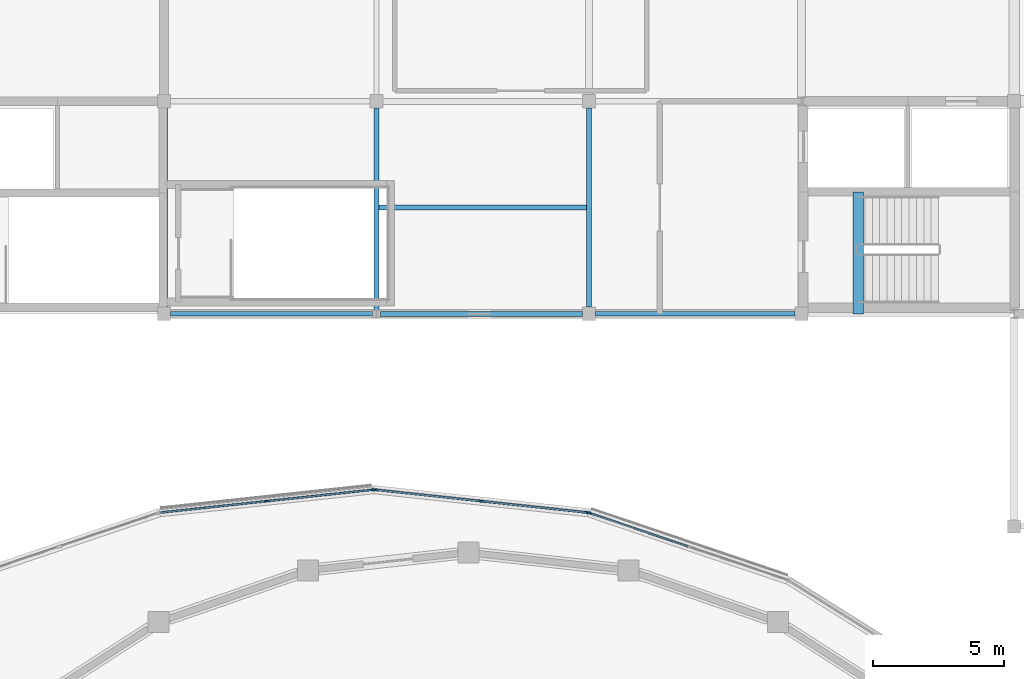
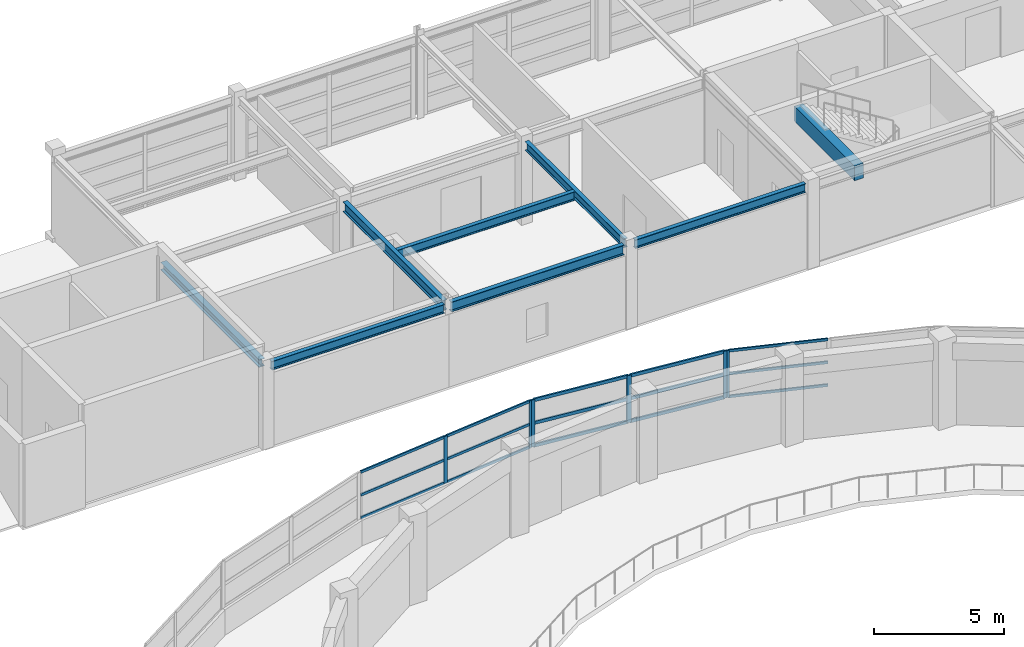
# One storey, part 25 of 54: 21 members, 8 beams, 3 elements without a shape of their own.
"""IFC4 building model written with IfcOpenShell, lengths in metres."""

from ifc_helpers import new_model, si_unit, direction, frame, origin, origin_2d, place, context, subcontext, project, spatial, rectangle, i_section, extrude, material, material_profile, profile_set, type_object, element, aggregate, save


model = new_model("IFC4")

# Units and contexts
model_context = context("Model", 3, precision=1e-05, world=origin(), true_north=direction((0.0, 1.0)))
body_context = subcontext(model_context, "Body", "Model", "MODEL_VIEW")
ifc_project = project(units=[si_unit("LENGTHUNIT", "METRE"), si_unit("AREAUNIT", "SQUARE_METRE"), si_unit("VOLUMEUNIT", "CUBIC_METRE"), si_unit("PLANEANGLEUNIT", "RADIAN"), si_unit("MASSUNIT", "GRAM", prefix="KILO")], contexts=[model_context])

# Site, building, storey
site_placement = place(None, origin())
site = spatial("IfcSite", under=ifc_project, at=site_placement, CompositionType="ELEMENT")
building_placement = place(site_placement, origin())
building = spatial("IfcBuilding", under=site, at=building_placement, Name="Parian Resonance Hall", CompositionType="ELEMENT")
storey_placement = place(building_placement, frame((0.0, 0.0, 15.0)))
storey = spatial("IfcBuildingStorey", under=building, at=storey_placement, Name="L03", CompositionType="ELEMENT", Elevation=15.0)

# Beams
ifc_material_1 = material(Name="Steel S355", Category="steel")
ifc_material_profile_1 = material_profile(ifc_material_1, i_section(OverallWidth=0.178955078125, OverallDepth=0.409912109375, WebThickness=0.0087890625, FlangeThickness=0.014404296875, FilletRadius=0.01513671875, at=origin_2d()), Name="W410x67")
ifc_profile_set_1 = profile_set([ifc_material_profile_1], Name="Steel S355")
beam_type_1 = type_object("IfcBeamType", Name="AL1 W410x67", PredefinedType="BEAM", material=ifc_profile_set_1)
beam_1_placement = place(storey_placement, frame((40.596923828125, 76.949951171875, 3.705078125), z_axis=(1.0, 0.0, 0.0), x_axis=(0.0, 1.0, 0.0)))
element("IfcBeam", 1, at=beam_1_placement, inside=storey, type_object=beam_type_1, Name="JS-L03-0917", PredefinedType="BEAM", context=body_context, shape_type="SweptSolid", body=[
    extrude(i_section(OverallWidth=0.178955078125, OverallDepth=0.409912109375, WebThickness=0.0087890625, FlangeThickness=0.014404296875, FilletRadius=0.01513671875, at=origin_2d()), origin(), (0.0, 0.0, 1.0), 7.91259765625),
])
ifc_material_2 = material(Name="Concrete C40/50", Category="concrete")
ifc_material_profile_2 = material_profile(ifc_material_2, rectangle(XDim=0.39990234375, YDim=0.699951171875, at=origin_2d()), Name="RC-BM-400x700")
ifc_profile_set_2 = profile_set([ifc_material_profile_2], Name="Concrete C40/50")
beam_type_2 = type_object("IfcBeamType", Name="BM-RC400x700", PredefinedType="BEAM", material=ifc_profile_set_2)
beam_2_placement = place(storey_placement, frame((58.860107421875, 72.89990234375, 3.610107421875), z_axis=(0.0, 1.0, 0.0), x_axis=(-1.0, 0.0, 0.0)))
element("IfcBeam", 2, at=beam_2_placement, inside=storey, type_object=beam_type_2, Name="Core K1 stair arrival trimmer beam L03", PredefinedType="BEAM", context=body_context, shape_type="SweptSolid", body=[
    extrude(rectangle(XDim=0.39990234375, YDim=0.699951171875, at=origin_2d()), origin(), (0.0, 0.0, 1.0), 4.650146484375),
])
ifc_material_3 = material(Name="Steel S355", Category="steel")
ifc_material_profile_3 = material_profile(ifc_material_3, i_section(OverallWidth=0.2548828125, OverallDepth=0.35693359375, WebThickness=0.010498046875, FlangeThickness=0.018310546875, FilletRadius=0.01513671875, at=origin_2d()), Name="W360x101")
ifc_profile_set_3 = profile_set([ifc_material_profile_3], Name="Steel S355")
beam_type_3 = type_object("IfcBeamType", Name="BM-W360x101", PredefinedType="SPANDREL", material=ifc_profile_set_3)
beam_3_placement = place(storey_placement, frame((32.39990234375, 73.14990234375, 3.7314453125), z_axis=(0.0, 1.0, 0.0), x_axis=(-1.0, 0.0, 0.0)))
element("IfcBeam", 3, at=beam_3_placement, inside=storey, type_object=beam_type_3, Name="GY-L03-0864", PredefinedType="SPANDREL", context=body_context, shape_type="SweptSolid", body=[
    extrude(i_section(OverallWidth=0.2548828125, OverallDepth=0.35693359375, WebThickness=0.010498046875, FlangeThickness=0.018310546875, FilletRadius=0.01513671875, at=origin_2d()), origin(), (0.0, 0.0, 1.0), 7.60009765625),
])
ifc_material_4 = material(Name="Steel S355", Category="steel")
ifc_material_profile_4 = material_profile(ifc_material_4, i_section(OverallWidth=0.180908203125, OverallDepth=0.4169921875, WebThickness=0.010986328125, FlangeThickness=0.018310546875, FilletRadius=0.01513671875, at=origin_2d()), Name="W410x85")
ifc_profile_set_4 = profile_set([ifc_material_profile_4], Name="Steel S355")
beam_type_4 = type_object("IfcBeamType", Name="BM-W410x85", PredefinedType="SPANDREL", material=ifc_profile_set_4)
beam_4_placement = place(storey_placement, frame((32.64990234375, 72.89990234375, 3.701416015625), z_axis=(1.0, 0.0, 0.0), x_axis=(0.0, 1.0, 0.0)))
element("IfcBeam", 4, at=beam_4_placement, inside=storey, type_object=beam_type_4, Name="GX-L03-0813", PredefinedType="SPANDREL", context=body_context, shape_type="SweptSolid", body=[
    extrude(i_section(OverallWidth=0.180908203125, OverallDepth=0.4169921875, WebThickness=0.010986328125, FlangeThickness=0.018310546875, FilletRadius=0.01513671875, at=origin_2d()), origin(), (0.0, 0.0, 1.0), 7.697509765625),
])
beam_5_placement = place(storey_placement, frame((48.85009765625, 72.89990234375, 3.75146484375), z_axis=(1.0, 0.0, 0.0), x_axis=(0.0, 1.0, 0.0)))
element("IfcBeam", 5, at=beam_5_placement, inside=storey, type_object=beam_type_4, Name="GX-L03-0819", PredefinedType="SPANDREL", context=body_context, shape_type="SweptSolid", body=[
    extrude(i_section(OverallWidth=0.180908203125, OverallDepth=0.4169921875, WebThickness=0.010986328125, FlangeThickness=0.018310546875, FilletRadius=0.01513671875, at=origin_2d()), origin(), (0.0, 0.0, 1.0), 7.599853515625),
])
beam_6_placement = place(storey_placement, frame((48.60009765625, 73.14990234375, 3.701416015625), z_axis=(0.0, 1.0, 0.0), x_axis=(-1.0, 0.0, 0.0)))
element("IfcBeam", 6, at=beam_6_placement, inside=storey, type_object=beam_type_4, Name="GY-L03-0868", PredefinedType="SPANDREL", context=body_context, shape_type="SweptSolid", body=[
    extrude(i_section(OverallWidth=0.180908203125, OverallDepth=0.4169921875, WebThickness=0.010986328125, FlangeThickness=0.018310546875, FilletRadius=0.01513671875, at=origin_2d()), origin(), (0.0, 0.0, 1.0), 7.60009765625),
])
ifc_material_5 = material(Name="Steel S355", Category="steel")
ifc_material_profile_5 = material_profile(ifc_material_5, i_section(OverallWidth=0.194091796875, OverallDepth=0.468994140625, WebThickness=0.0126953125, FlangeThickness=0.0205078125, FilletRadius=0.01513671875, at=origin_2d()), Name="W460x106")
ifc_profile_set_5 = profile_set([ifc_material_profile_5], Name="Steel S355")
beam_type_5 = type_object("IfcBeamType", Name="BM-W460x106", PredefinedType="SPANDREL", material=ifc_profile_set_5)
beam_7_placement = place(storey_placement, frame((40.652587890625, 72.89990234375, 3.675537109375), z_axis=(1.0, 0.0, 0.0), x_axis=(0.0, 1.0, 0.0)))
element("IfcBeam", 7, at=beam_7_placement, inside=storey, type_object=beam_type_5, Name="GX-L03-0816", PredefinedType="SPANDREL", context=body_context, shape_type="SweptSolid", body=[
    extrude(i_section(OverallWidth=0.194091796875, OverallDepth=0.468994140625, WebThickness=0.0126953125, FlangeThickness=0.0205078125, FilletRadius=0.01513671875, at=origin_2d()), origin(), (0.0, 0.0, 1.0), 7.697509765625),
])
beam_8_placement = place(storey_placement, frame((40.5, 73.053955078125, 3.675537109375), z_axis=(0.0, 1.0, 0.0), x_axis=(-1.0, 0.0, 0.0)))
element("IfcBeam", 8, at=beam_8_placement, inside=storey, type_object=beam_type_5, Name="GY-L03-0866", PredefinedType="SPANDREL", context=body_context, shape_type="SweptSolid", body=[
    extrude(i_section(OverallWidth=0.194091796875, OverallDepth=0.468994140625, WebThickness=0.0126953125, FlangeThickness=0.0205078125, FilletRadius=0.01513671875, at=origin_2d()), origin(), (0.0, 0.0, 1.0), 7.696044921875),
])

# Curtain wall, member
ifc_material_6 = material(Name="Bronze-anodised aluminium frame", Category="aluminium")
curtain_wall_type_1 = type_object("IfcCurtainWallType", Name="CW-SYS-01", PredefinedType="NOTDEFINED", material=ifc_material_6)
curtain_wall_1_placement = place(storey_placement, origin())
curtain_wall_1 = element("IfcCurtainWall", 9, at=curtain_wall_1_placement, inside=storey, type_object=curtain_wall_type_1, Name="Elliptical R3 recessed strip curtain wall 05", PredefinedType="NOTDEFINED")
ifc_material_7 = material(Name="Bronze-anodised aluminium frame", Category="aluminium")
ifc_material_profile_6 = material_profile(ifc_material_7, rectangle(XDim=0.06494140625, YDim=0.159912109375, at=origin_2d()), Name="CWM-65x160")
ifc_profile_set_6 = profile_set([ifc_material_profile_6], Name="Bronze-anodised aluminium frame")
member_type_1 = type_object("IfcMemberType", Name="CWM-65x160", PredefinedType="MULLION", material=ifc_profile_set_6)
member_1_placement = place(storey_placement, frame((48.609375, 65.310546875, 1.19189453125), z_axis=(0.0, 0.0, 1.0), x_axis=(0.320360084104, 0.947295844239, 0.0)))
member_1 = element("IfcMember", 10, at=member_1_placement, type_object=member_type_1, Name="CW-01 mullion 1", PredefinedType="MULLION", context=body_context, shape_type="SweptSolid", body=[
    extrude(rectangle(XDim=0.06494140625, YDim=0.159912109375, at=origin_2d()), origin(), (0.0, 0.0, 1.0), 2.218017578125),
])

# Curtain wall, members
ifc_material_8 = material(Name="Bronze-anodised aluminium frame", Category="aluminium")
curtain_wall_type_2 = type_object("IfcCurtainWallType", Name="CW-SYS-03", PredefinedType="NOTDEFINED", material=ifc_material_8)
curtain_wall_2_placement = place(storey_placement, origin())
curtain_wall_2 = element("IfcCurtainWall", 11, at=curtain_wall_2_placement, inside=storey, type_object=curtain_wall_type_2, Name="Elliptical R3 recessed strip curtain wall 07", PredefinedType="NOTDEFINED")
member_2_placement = place(storey_placement, frame((36.310546875, 65.760498046875, 1.19189453125), z_axis=(0.0, 0.0, 1.0), x_axis=(-0.106870934025, 0.994272901904, 0.0)))
member_2 = element("IfcMember", 12, at=member_2_placement, type_object=member_type_1, Name="CW-03 mullion 2", PredefinedType="MULLION", context=body_context, shape_type="SweptSolid", body=[
    extrude(rectangle(XDim=0.06494140625, YDim=0.159912109375, at=origin_2d()), origin(), (0.0, 0.0, 1.0), 2.218017578125),
])
member_3_placement = place(storey_placement, frame((40.36767578125, 66.196533203125, 1.19189453125), z_axis=(0.0, 0.0, 1.0), x_axis=(-0.106870934025, 0.994272901904, 0.0)))
member_3 = element("IfcMember", 13, at=member_3_placement, type_object=member_type_1, Name="CW-03 mullion 3", PredefinedType="MULLION", context=body_context, shape_type="SweptSolid", body=[
    extrude(rectangle(XDim=0.06494140625, YDim=0.159912109375, at=origin_2d()), origin(), (0.0, 0.0, 1.0), 2.218017578125),
])

ifc_material_9 = material(Name="Bronze-anodised aluminium frame", Category="aluminium")
curtain_wall_type_3 = type_object("IfcCurtainWallType", Name="CW-SYS-02", PredefinedType="NOTDEFINED", material=ifc_material_9)
curtain_wall_3_placement = place(storey_placement, origin())
curtain_wall_3 = element("IfcCurtainWall", 14, at=curtain_wall_3_placement, inside=storey, type_object=curtain_wall_type_3, Name="Elliptical R3 recessed strip curtain wall 06", PredefinedType="NOTDEFINED")
ifc_material_10 = material(Name="Bronze-anodised aluminium frame", Category="aluminium")
ifc_material_profile_7 = material_profile(ifc_material_10, rectangle(XDim=0.074951171875, YDim=0.199951171875, at=origin_2d()), Name="CWM-75x200")
ifc_profile_set_7 = profile_set([ifc_material_profile_7], Name="Bronze-anodised aluminium frame")
member_type_2 = type_object("IfcMemberType", Name="CWM-75x200", PredefinedType="MULLION", material=ifc_profile_set_7)
member_4_placement = place(storey_placement, frame((40.437255859375, 66.196044921875, 1.19189453125), z_axis=(0.0, 0.0, 1.0), x_axis=(0.106870934025, 0.994272901904, 0.0)))
member_4 = element("IfcMember", 15, at=member_4_placement, type_object=member_type_2, Name="CW-02 mullion 1", PredefinedType="MULLION", context=body_context, shape_type="SweptSolid", body=[
    extrude(rectangle(XDim=0.074951171875, YDim=0.199951171875, at=origin_2d()), origin(), (0.0, 0.0, 1.0), 2.218017578125),
])
member_5_placement = place(storey_placement, frame((44.4892578125, 65.760498046875, 1.19189453125), z_axis=(0.0, 0.0, 1.0), x_axis=(0.106870934025, 0.994272901904, 0.0)))
member_5 = element("IfcMember", 16, at=member_5_placement, type_object=member_type_2, Name="CW-02 mullion 2", PredefinedType="MULLION", context=body_context, shape_type="SweptSolid", body=[
    extrude(rectangle(XDim=0.074951171875, YDim=0.199951171875, at=origin_2d()), origin(), (0.0, 0.0, 1.0), 2.218017578125),
])
member_6_placement = place(storey_placement, frame((48.54150390625, 65.324951171875, 1.19189453125), z_axis=(0.0, 0.0, 1.0), x_axis=(0.106870934025, 0.994272901904, 0.0)))
member_6 = element("IfcMember", 17, at=member_6_placement, type_object=member_type_2, Name="CW-02 mullion 3", PredefinedType="MULLION", context=body_context, shape_type="SweptSolid", body=[
    extrude(rectangle(XDim=0.074951171875, YDim=0.199951171875, at=origin_2d()), origin(), (0.0, 0.0, 1.0), 2.218017578125),
])

# Member
ifc_material_11 = material(Name="Bronze-anodised aluminium frame", Category="aluminium")
ifc_material_profile_8 = material_profile(ifc_material_11, rectangle(XDim=0.06494140625, YDim=0.1201171875, at=origin_2d()), Name="CWT-65x120")
ifc_profile_set_8 = profile_set([ifc_material_profile_8], Name="Bronze-anodised aluminium frame")
member_type_3 = type_object("IfcMemberType", Name="CWT-65x120", PredefinedType="USERDEFINED", material=ifc_profile_set_8)
member_7_placement = place(storey_placement, frame((48.640380859375, 65.300048828125, 1.224609375), z_axis=(0.94730601585, -0.32033000536, 0.0), x_axis=(0.32033000536, 0.94730601585, 0.0)))
member_7 = element("IfcMember", 18, at=member_7_placement, type_object=member_type_3, Name="CW-01 transom 1.1", ObjectType="TRANSOM", PredefinedType="USERDEFINED", context=body_context, shape_type="SweptSolid", body=[
    extrude(rectangle(XDim=0.06494140625, YDim=0.1201171875, at=origin_2d()), origin(), (0.0, 0.0, 1.0), 3.925048828125),
])

member_8_placement = place(storey_placement, frame((48.640380859375, 65.300048828125, 2.300048828125), z_axis=(0.94730601585, -0.32033000536, 0.0), x_axis=(0.32033000536, 0.94730601585, 0.0)))
member_8 = element("IfcMember", 19, at=member_8_placement, type_object=member_type_3, Name="CW-01 transom 1.2", ObjectType="TRANSOM", PredefinedType="USERDEFINED", context=body_context, shape_type="SweptSolid", body=[
    extrude(rectangle(XDim=0.06494140625, YDim=0.1201171875, at=origin_2d()), origin(), (0.0, 0.0, 1.0), 3.925048828125),
])

member_9_placement = place(storey_placement, frame((48.640380859375, 65.300048828125, 3.37744140625), z_axis=(0.94730601585, -0.32033000536, 0.0), x_axis=(0.32033000536, 0.94730601585, 0.0)))
member_9 = element("IfcMember", 20, at=member_9_placement, type_object=member_type_3, Name="CW-01 transom 1.3", ObjectType="TRANSOM", PredefinedType="USERDEFINED", context=body_context, shape_type="SweptSolid", body=[
    extrude(rectangle(XDim=0.06494140625, YDim=0.1201171875, at=origin_2d()), origin(), (0.0, 0.0, 1.0), 3.925048828125),
])

aggregate(curtain_wall_1, [member_1, member_7, member_8, member_9])

member_10_placement = place(storey_placement, frame((32.285888671875, 65.327880859375, 1.224609375), z_axis=(0.99427113841, 0.106887339407, 0.0), x_axis=(-0.106887339407, 0.99427113841, 0.0)))
member_10 = element("IfcMember", 21, at=member_10_placement, type_object=member_type_3, Name="CW-03 transom 1.1", ObjectType="TRANSOM", PredefinedType="USERDEFINED", context=body_context, shape_type="SweptSolid", body=[
    extrude(rectangle(XDim=0.06494140625, YDim=0.1201171875, at=origin_2d()), origin(), (0.0, 0.0, 1.0), 4.015380859375),
])

member_11_placement = place(storey_placement, frame((32.285888671875, 65.327880859375, 2.300048828125), z_axis=(0.99427113841, 0.106887339407, 0.0), x_axis=(-0.106887339407, 0.99427113841, 0.0)))
member_11 = element("IfcMember", 22, at=member_11_placement, type_object=member_type_3, Name="CW-03 transom 1.2", ObjectType="TRANSOM", PredefinedType="USERDEFINED", context=body_context, shape_type="SweptSolid", body=[
    extrude(rectangle(XDim=0.06494140625, YDim=0.1201171875, at=origin_2d()), origin(), (0.0, 0.0, 1.0), 4.015380859375),
])

member_12_placement = place(storey_placement, frame((32.285888671875, 65.327880859375, 3.37744140625), z_axis=(0.99427113841, 0.106887339407, 0.0), x_axis=(-0.106887339407, 0.99427113841, 0.0)))
member_12 = element("IfcMember", 23, at=member_12_placement, type_object=member_type_3, Name="CW-03 transom 1.3", ObjectType="TRANSOM", PredefinedType="USERDEFINED", context=body_context, shape_type="SweptSolid", body=[
    extrude(rectangle(XDim=0.06494140625, YDim=0.1201171875, at=origin_2d()), origin(), (0.0, 0.0, 1.0), 4.015380859375),
])

member_13_placement = place(storey_placement, frame((36.343017578125, 65.763916015625, 1.224609375), z_axis=(0.99427113841, 0.106887339407, 0.0), x_axis=(-0.106887339407, 0.99427113841, 0.0)))
member_13 = element("IfcMember", 24, at=member_13_placement, type_object=member_type_3, Name="CW-03 transom 2.1", ObjectType="TRANSOM", PredefinedType="USERDEFINED", context=body_context, shape_type="SweptSolid", body=[
    extrude(rectangle(XDim=0.06494140625, YDim=0.1201171875, at=origin_2d()), origin(), (0.0, 0.0, 1.0), 4.015380859375),
])

member_14_placement = place(storey_placement, frame((36.343017578125, 65.763916015625, 2.300048828125), z_axis=(0.99427113841, 0.106887339407, 0.0), x_axis=(-0.106887339407, 0.99427113841, 0.0)))
member_14 = element("IfcMember", 25, at=member_14_placement, type_object=member_type_3, Name="CW-03 transom 2.2", ObjectType="TRANSOM", PredefinedType="USERDEFINED", context=body_context, shape_type="SweptSolid", body=[
    extrude(rectangle(XDim=0.06494140625, YDim=0.1201171875, at=origin_2d()), origin(), (0.0, 0.0, 1.0), 4.015380859375),
])

member_15_placement = place(storey_placement, frame((36.343017578125, 65.763916015625, 3.37744140625), z_axis=(0.99427113841, 0.106887339407, 0.0), x_axis=(-0.106887339407, 0.99427113841, 0.0)))
member_15 = element("IfcMember", 26, at=member_15_placement, type_object=member_type_3, Name="CW-03 transom 2.3", ObjectType="TRANSOM", PredefinedType="USERDEFINED", context=body_context, shape_type="SweptSolid", body=[
    extrude(rectangle(XDim=0.06494140625, YDim=0.1201171875, at=origin_2d()), origin(), (0.0, 0.0, 1.0), 4.015380859375),
])

aggregate(curtain_wall_2, [member_2, member_3, member_10, member_11, member_12, member_13, member_14, member_15])

ifc_material_12 = material(Name="Bronze-anodised aluminium frame", Category="aluminium")
ifc_material_profile_9 = material_profile(ifc_material_12, rectangle(XDim=0.074951171875, YDim=0.14990234375, at=origin_2d()), Name="CWT-75x150")
ifc_profile_set_9 = profile_set([ifc_material_profile_9], Name="Bronze-anodised aluminium frame")
member_type_4 = type_object("IfcMemberType", Name="CWT-75x150", PredefinedType="USERDEFINED", material=ifc_profile_set_9)
member_16_placement = place(storey_placement, frame((40.474609375, 66.19189453125, 1.2294921875), z_axis=(0.994274006743, -0.106860654665, 0.0), x_axis=(0.106860654665, 0.994274006743, 0.0)))
member_16 = element("IfcMember", 27, at=member_16_placement, type_object=member_type_4, Name="CW-02 transom 1.1", ObjectType="TRANSOM", PredefinedType="USERDEFINED", context=body_context, shape_type="SweptSolid", body=[
    extrude(rectangle(XDim=0.074951171875, YDim=0.14990234375, at=origin_2d()), origin(), (0.0, 0.0, 1.0), 4.00048828125),
])

member_17_placement = place(storey_placement, frame((40.474609375, 66.19189453125, 2.300048828125), z_axis=(0.994274006743, -0.106860654665, 0.0), x_axis=(0.106860654665, 0.994274006743, 0.0)))
member_17 = element("IfcMember", 28, at=member_17_placement, type_object=member_type_4, Name="CW-02 transom 1.2", ObjectType="TRANSOM", PredefinedType="USERDEFINED", context=body_context, shape_type="SweptSolid", body=[
    extrude(rectangle(XDim=0.074951171875, YDim=0.14990234375, at=origin_2d()), origin(), (0.0, 0.0, 1.0), 4.00048828125),
])

member_18_placement = place(storey_placement, frame((40.474609375, 66.19189453125, 3.37255859375), z_axis=(0.994274006743, -0.106860654665, 0.0), x_axis=(0.106860654665, 0.994274006743, 0.0)))
member_18 = element("IfcMember", 29, at=member_18_placement, type_object=member_type_4, Name="CW-02 transom 1.3", ObjectType="TRANSOM", PredefinedType="USERDEFINED", context=body_context, shape_type="SweptSolid", body=[
    extrude(rectangle(XDim=0.074951171875, YDim=0.14990234375, at=origin_2d()), origin(), (0.0, 0.0, 1.0), 4.00048828125),
])

member_19_placement = place(storey_placement, frame((44.526611328125, 65.75634765625, 1.2294921875), z_axis=(0.994274006743, -0.106860654665, 0.0), x_axis=(0.106860654665, 0.994274006743, 0.0)))
member_19 = element("IfcMember", 30, at=member_19_placement, type_object=member_type_4, Name="CW-02 transom 2.1", ObjectType="TRANSOM", PredefinedType="USERDEFINED", context=body_context, shape_type="SweptSolid", body=[
    extrude(rectangle(XDim=0.074951171875, YDim=0.14990234375, at=origin_2d()), origin(), (0.0, 0.0, 1.0), 4.00048828125),
])

member_20_placement = place(storey_placement, frame((44.526611328125, 65.75634765625, 2.300048828125), z_axis=(0.994274006743, -0.106860654665, 0.0), x_axis=(0.106860654665, 0.994274006743, 0.0)))
member_20 = element("IfcMember", 31, at=member_20_placement, type_object=member_type_4, Name="CW-02 transom 2.2", ObjectType="TRANSOM", PredefinedType="USERDEFINED", context=body_context, shape_type="SweptSolid", body=[
    extrude(rectangle(XDim=0.074951171875, YDim=0.14990234375, at=origin_2d()), origin(), (0.0, 0.0, 1.0), 4.00048828125),
])

member_21_placement = place(storey_placement, frame((44.526611328125, 65.75634765625, 3.37255859375), z_axis=(0.994274006743, -0.106860654665, 0.0), x_axis=(0.106860654665, 0.994274006743, 0.0)))
member_21 = element("IfcMember", 32, at=member_21_placement, type_object=member_type_4, Name="CW-02 transom 2.3", ObjectType="TRANSOM", PredefinedType="USERDEFINED", context=body_context, shape_type="SweptSolid", body=[
    extrude(rectangle(XDim=0.074951171875, YDim=0.14990234375, at=origin_2d()), origin(), (0.0, 0.0, 1.0), 4.00048828125),
])

aggregate(curtain_wall_3, [member_4, member_5, member_6, member_16, member_17, member_18, member_19, member_20, member_21])

save(model, "model.ifc")
